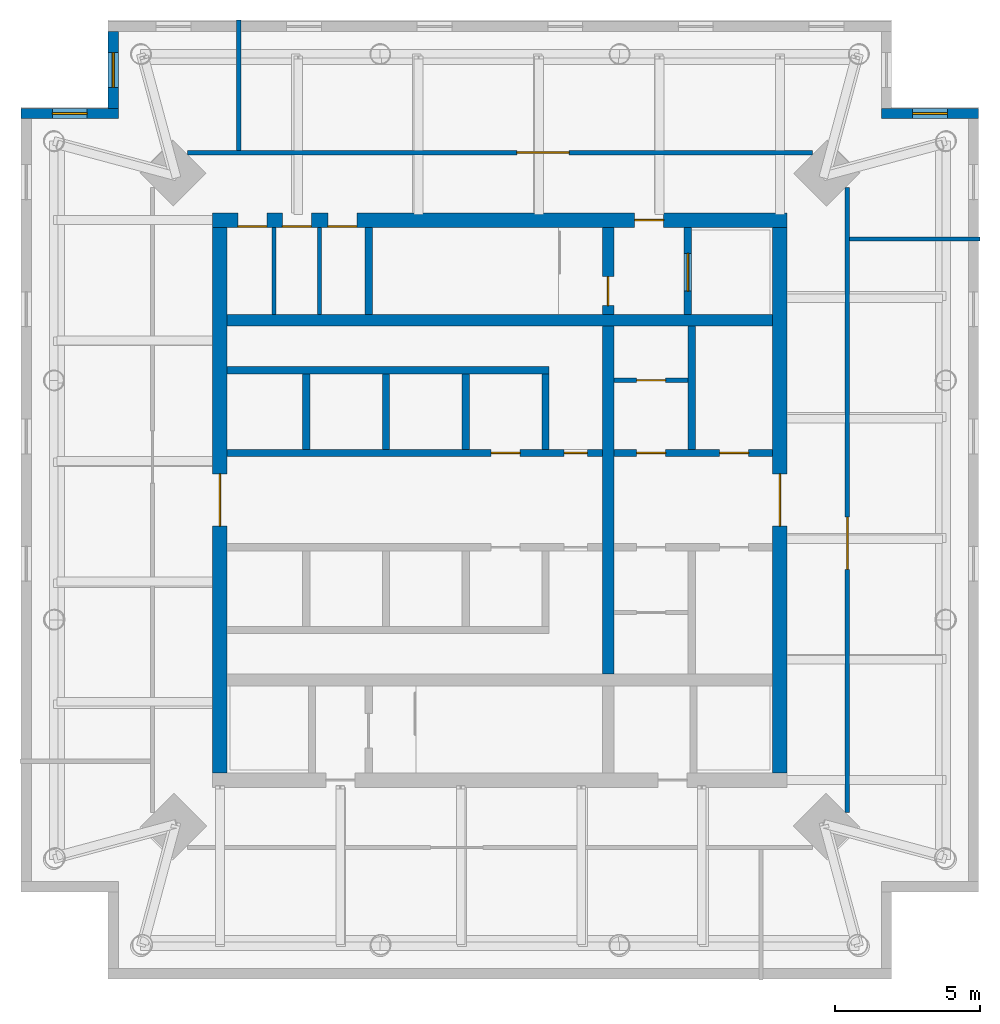
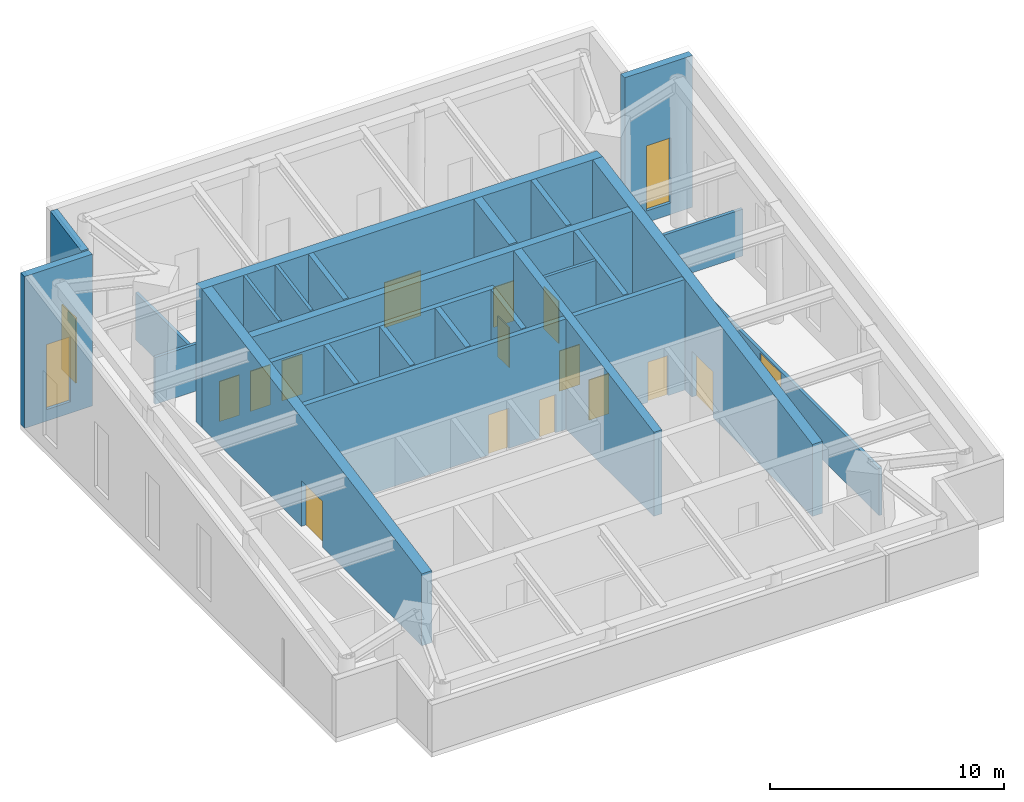
# One storey, part 3 of 5: 26 walls, 15 doors, 3 windows, 18 openings.
"""IFC4 building model written with IfcOpenShell, lengths in metres."""

import ifcopenshell
import ifcopenshell.guid

model = None  # the IFC model being written
_history = None  # IfcOwnerHistory: only IFC2X3 demands one
_inside = {}  # id of a spatial element -> (the spatial element, [elements in it])
_under = {}  # id of a project, library or spatial element -> (it, [spatial elements below it])
_declared = {}  # id of a project -> (the project, [libraries it declares])
_typed = {}  # id of a type object -> (the type object, [elements of that type])
_made_of = {}  # id of a material, layer set ... -> (it, [elements and type objects made of it])


def new_model(schema):
    """Start an empty IFC model of exactly this schema.

    Asked for "IFC4X3", IfcOpenShell would pick the latest addendum, in which some entities
    have other attributes; the version numbers below select the first issue.
    IFC2X3 requires an IfcOwnerHistory on every rooted entity: one is made here for all.
    """
    global model, _history
    if schema == "IFC4X3":
        model = ifcopenshell.file(schema_version=(4, 3, 0, 0))
    else:
        model = ifcopenshell.file(schema=schema)
    _inside.clear()
    _under.clear()
    _declared.clear()
    _typed.clear()
    _made_of.clear()
    _history = None
    if model.schema == "IFC2X3":
        org = make("IfcOrganization", Name="unknown")
        user = make(
            "IfcPersonAndOrganization",
            ThePerson=make("IfcPerson", FamilyName="unknown"),
            TheOrganization=org,
        )
        app = make(
            "IfcApplication",
            ApplicationDeveloper=org,
            Version="unknown",
            ApplicationFullName="unknown",
            ApplicationIdentifier="unknown",
        )
        _history = make(
            "IfcOwnerHistory",
            OwningUser=user,
            OwningApplication=app,
            ChangeAction="ADDED",
            CreationDate=0,
        )
    return model


def make(cls, **values):
    """One entity of the class cls with the attributes given. An attribute that is None is left unset."""
    return model.create_entity(
        cls, **{name: value for name, value in values.items() if value is not None}
    )


def rooted(cls, **values):
    """An entity with a GlobalId (a new one), such as an element, a storey or a relation."""
    return make(cls, GlobalId=ifcopenshell.guid.new(), OwnerHistory=_history, **values)


def si_unit(unit_type, name, prefix=None):
    """IfcSIUnit, for example si_unit("LENGTHUNIT", "METRE", prefix="MILLI")."""
    return make("IfcSIUnit", UnitType=unit_type, Prefix=prefix, Name=name)


def assignment(units):
    """IfcUnitAssignment: the units of a project."""
    return None if units is None else make("IfcUnitAssignment", Units=units)


def point(xyz):
    """IfcCartesianPoint."""
    return None if xyz is None else make("IfcCartesianPoint", Coordinates=xyz)


def direction(xyz):
    """IfcDirection."""
    return None if xyz is None else make("IfcDirection", DirectionRatios=xyz)


def frame(location, z_axis=None, x_axis=None):
    """IfcAxis2Placement3D, a coordinate frame: its origin and axes. An axis left out is left unset."""
    return make(
        "IfcAxis2Placement3D",
        Location=point(location),
        Axis=direction(z_axis),
        RefDirection=direction(x_axis),
    )


def frame_2d(location, x_axis=None):
    """IfcAxis2Placement2D, a coordinate frame in the plane: its origin and x axis."""
    return make(
        "IfcAxis2Placement2D", Location=point(location), RefDirection=direction(x_axis)
    )


def origin():
    """The frame at (0, 0, 0) with its axes left unset."""
    return frame((0.0, 0.0, 0.0))


def place(relative_to, where):
    """IfcLocalPlacement: puts the frame where relative to a parent placement (None: the world)."""
    return make(
        "IfcLocalPlacement", PlacementRelTo=relative_to, RelativePlacement=where
    )


def context(
    kind, dimensions, precision=None, world=None, true_north=None, identifier=None
):
    """IfcGeometricRepresentationContext, for example the 3D "Model" context."""
    return make(
        "IfcGeometricRepresentationContext",
        ContextIdentifier=identifier,
        ContextType=kind,
        CoordinateSpaceDimension=dimensions,
        Precision=precision,
        WorldCoordinateSystem=world,
        TrueNorth=true_north,
    )


def subcontext(parent, identifier, kind, view, scale=None):
    """IfcGeometricRepresentationSubContext, for example "Body" below "Model"."""
    return make(
        "IfcGeometricRepresentationSubContext",
        ContextIdentifier=identifier,
        ContextType=kind,
        ParentContext=parent,
        TargetScale=scale,
        TargetView=view,
    )


def project(units=None, contexts=None):
    """IfcProject with its units and contexts."""
    return rooted(
        "IfcProject",
        Name="project",
        RepresentationContexts=contexts,
        UnitsInContext=assignment(units),
    )


def spatial(cls, under=None, at=None, **own):
    """A site, building, storey or space (cls), placed at a placement, below another one or the project."""
    s = rooted(cls, ObjectPlacement=at, **own)
    if under is not None:
        _under.setdefault(under.id(), (under, []))[1].append(s)
    return s


def polyline(points):
    """IfcPolyline through the points."""
    return make("IfcPolyline", Points=[point(p) for p in points])


def profile(cls, at=None, kind="AREA", **sizes):
    """A parametric profile (cls). Its sizes go by their IFC names, for example OverallWidth=200.0."""
    return make(cls, ProfileType=kind, Position=at, **sizes)


def rectangle(**sizes):
    """IfcRectangleProfileDef."""
    return profile("IfcRectangleProfileDef", **sizes)


def outline(outer, holes=None, kind="AREA"):
    """IfcArbitraryClosedProfileDef: a profile drawn as a closed curve; with holes, ...WithVoids."""
    if holes is None:
        return make("IfcArbitraryClosedProfileDef", ProfileType=kind, OuterCurve=outer)
    return make(
        "IfcArbitraryProfileDefWithVoids",
        ProfileType=kind,
        OuterCurve=outer,
        InnerCurves=holes,
    )


def extrude(swept, where, along, depth):
    """IfcExtrudedAreaSolid: the profile swept, set in the frame where, extruded along a direction by depth."""
    return make(
        "IfcExtrudedAreaSolid",
        SweptArea=swept,
        Position=where,
        ExtrudedDirection=direction(along),
        Depth=depth,
    )


def shape(context_of_items, identifier, shape_type, items):
    """IfcShapeRepresentation: the items that make up one representation, for example the "Body"."""
    return make(
        "IfcShapeRepresentation",
        ContextOfItems=context_of_items,
        RepresentationIdentifier=identifier,
        RepresentationType=shape_type,
        Items=items,
    )


def material(Name=None, Category=None):
    """IfcMaterial."""
    return make("IfcMaterial", Name=Name, Category=Category)


def layer(
    of_material, thickness, ventilated=None, Name=None, Category=None, Priority=None
):
    """IfcMaterialLayer: one layer of a wall or slab, of a material (None: an air gap)."""
    return make(
        "IfcMaterialLayer",
        Material=of_material,
        LayerThickness=thickness,
        IsVentilated=ventilated,
        Name=Name,
        Category=Category,
        Priority=Priority,
    )


def layer_set(layers, Name=None):
    """IfcMaterialLayerSet."""
    return make("IfcMaterialLayerSet", MaterialLayers=layers, LayerSetName=Name)


def made_of(thing, what):
    """Note that an element or type object is made of a material, layer set ...; save() writes the relation."""
    if what is not None:
        _made_of.setdefault(what.id(), (what, []))[1].append(thing)
    return thing


def type_object(cls, material=None, **own):
    """A type object (cls), such as IfcWallType, which elements share."""
    return made_of(rooted(cls, **own), material)


def element(
    cls,
    number,
    at=None,
    inside=None,
    cuts=None,
    type_object=None,
    material=None,
    context=None,
    identifier="Body",
    shape_type=None,
    held_by="IfcProductDefinitionShape",
    body=None,
    shapes=None,
    **own,
):
    """One element of the class cls, such as IfcWall. Its Tag is "e" and its number.

    at: its placement. inside: the storey or other place that contains it. cuts: it is an
    opening in that element (IfcRelVoidsElement). A single representation is given by context,
    identifier, shape_type and body (its items); several are given by shapes. held_by: the class
    of the entity that holds the representations. save() writes the other relations.
    """
    e = rooted(cls, Tag="e%d" % number, ObjectPlacement=at, **own)
    if body is not None:
        shapes = [shape(context, identifier, shape_type, body)]
    if shapes is not None:
        e.Representation = make(held_by, Representations=shapes)
    if inside is not None:
        _inside.setdefault(inside.id(), (inside, []))[1].append(e)
    if cuts is not None:
        rooted(
            "IfcRelVoidsElement", RelatingBuildingElement=cuts, RelatedOpeningElement=e
        )
    if type_object is not None:
        _typed.setdefault(type_object.id(), (type_object, []))[1].append(e)
    return made_of(e, material)


def fill(opening, filler):
    """IfcRelFillsElement: the door or window that sits in an opening."""
    return rooted(
        "IfcRelFillsElement",
        RelatingOpeningElement=opening,
        RelatedBuildingElement=filler,
    )


def aggregate(whole, parts):
    """IfcRelAggregates: a whole, such as a stair, and the parts it consists of."""
    return rooted("IfcRelAggregates", RelatingObject=whole, RelatedObjects=parts)


def save(model, path):
    """Write the relations noted so far, then the file.

    IfcRelAggregates (storeys below a building ...), IfcRelContainedInSpatialStructure (elements
    in a storey), IfcRelDefinesByType, IfcRelAssociatesMaterial and IfcRelDeclares: one each for
    every whole, place, type object, material and project.
    """
    for whole, parts in _under.values():
        aggregate(whole, parts)
    for where, things in _inside.values():
        rooted(
            "IfcRelContainedInSpatialStructure",
            RelatedElements=things,
            RelatingStructure=where,
        )
    for kind, things in _typed.values():
        rooted("IfcRelDefinesByType", RelatedObjects=things, RelatingType=kind)
    for what, things in _made_of.values():
        rooted("IfcRelAssociatesMaterial", RelatedObjects=things, RelatingMaterial=what)
    for by, libraries in _declared.values():
        rooted("IfcRelDeclares", RelatingContext=by, RelatedDefinitions=libraries)
    model.write(path)


model = new_model("IFC4")

# Units and contexts
model_context = context("Model", 3, precision=1e-05, world=origin(), true_north=direction((0.0, 1.0)))
body_context = subcontext(model_context, "Body", "Model", "MODEL_VIEW")
ifc_project = project(units=[si_unit("LENGTHUNIT", "METRE"), si_unit("AREAUNIT", "SQUARE_METRE"), si_unit("VOLUMEUNIT", "CUBIC_METRE"), si_unit("PLANEANGLEUNIT", "RADIAN"), si_unit("MASSUNIT", "GRAM", prefix="KILO")], contexts=[model_context])

# Site, building, storey
site_placement = place(None, origin())
site = spatial("IfcSite", under=ifc_project, at=site_placement, CompositionType="ELEMENT")
building_placement = place(site_placement, origin())
building = spatial("IfcBuilding", under=site, at=building_placement, Name="Ostroluk Exchange", CompositionType="ELEMENT")
storey_placement = place(building_placement, frame((0.0, 0.0, 290.800048828125)))
storey = spatial("IfcBuildingStorey", under=building, at=storey_placement, Name="L75", CompositionType="ELEMENT", Elevation=290.800048828125)

# Walls
ifc_material_1 = material(Name="Concrete blockwork", Category="masonry")
ifc_layer_1 = layer(ifc_material_1, 0.14990234375)
ifc_layer_set_1 = layer_set([ifc_layer_1], Name="Blockwork plant room wall 150")
wall_type_1 = type_object("IfcWallType", Name="Blockwork plant room wall 150", PredefinedType="SOLIDWALL", material=ifc_layer_set_1)
for number, where, z_axis, x_axis, name in (
    (1, (37.215087890625, 52.39990234375, 0.0), (0.0, 0.0, 1.0), (0.0, 1.0, 0.0), "Core room wall"),
    (2, (38.782470703125, 52.39990234375, 0.0), (0.0, 0.0, 1.0), (0.0, 1.0, 0.0), "Core room wall"),
):
    element("IfcWall", number, at=place(storey_placement, frame(where, z_axis=z_axis, x_axis=x_axis)), inside=storey, type_object=wall_type_1, Name=name, PredefinedType="SOLIDWALL", context=body_context, shape_type="SweptSolid", body=[
        extrude(outline(polyline([(0.0, 0.0), (3.0, 0.0), (3.0, 7.237548828125), (0.0, 6.682861328125), (0.0, 0.0)])), frame((0.0, 0.074951171875, 0.0), z_axis=(0.0, -1.0, 0.0), x_axis=(1.0, 0.0, 0.0)), (0.0, 0.0, 1.0), 0.14990234375),
    ])

# Wall, opening, door
wall_1_placement = place(storey_placement, frame((48.929931640625, 50.1298828125, 0.0), z_axis=(0.0, 0.0, 1.0), x_axis=(1.0, 0.0, 0.0)))
wall_1 = element("IfcWall", 3, at=wall_1_placement, inside=storey, type_object=wall_type_1, Name="Core room wall", PredefinedType="SOLIDWALL", context=body_context, shape_type="SweptSolid", body=[
    extrude(rectangle(XDim=2.56005859375, YDim=0.14990234375, at=frame_2d((1.280029296875, 0.0))), origin(), (0.0, 0.0, 1.0), 6.24951171875),
])
opening_1_placement = place(wall_1_placement, frame((0.780029296875, 0.0, 0.0)))
opening_1 = element("IfcOpeningElement", 4, at=opening_1_placement, cuts=wall_1, Name="Opening FD60", PredefinedType="OPENING", context=body_context, shape_type="SweptSolid", body=[
    extrude(rectangle(XDim=1.0, YDim=2.10009765625, at=frame_2d((0.5, 1.050048828125))), frame((0.0, 0.0849609375, 0.0), z_axis=(0.0, -1.0, 0.0), x_axis=(1.0, 0.0, 0.0)), (0.0, 0.0, 1.0), 0.169921875),
])
ifc_material_2 = material(Name="Steel", Category="steel")
door_type_1 = type_object("IfcDoorType", Name="Fire door EI 60 1000 x 2100", OperationType="SINGLE_SWING_LEFT", PredefinedType="DOOR", material=ifc_material_2)
door_1_placement = place(opening_1_placement, origin())
door_1 = element("IfcDoor", 5, at=door_1_placement, inside=storey, type_object=door_type_1, Name="Store door", OperationType="SINGLE_SWING_LEFT", OverallHeight=2.10009765625, OverallWidth=1.0, PredefinedType="DOOR", context=body_context, shape_type="SweptSolid", body=[
    extrude(rectangle(XDim=1.0, YDim=2.10009765625, at=frame_2d((0.5, 1.050048828125))), frame((0.0, 0.02490234375, 0.0), z_axis=(0.0, -1.0, 0.0), x_axis=(1.0, 0.0, 0.0)), (0.0, 0.0, 1.0), 0.050048828125),
])
fill(opening_1, door_1)

wall_2_placement = place(storey_placement, frame((56.97509765625, 35.2314453125, 0.0), z_axis=(0.0, 0.0, 1.0), x_axis=(0.0, 1.0, 0.0)))
wall_2 = element("IfcWall", 6, at=wall_2_placement, inside=storey, type_object=wall_type_1, Name="Plant room wall", PredefinedType="SOLIDWALL", context=body_context, shape_type="SweptSolid", body=[
    extrude(rectangle(XDim=21.537109375, YDim=0.14990234375, at=frame_2d((10.7685546875, 0.0))), origin(), (0.0, 0.0, 1.0), 2.449951171875),
])
opening_2_placement = place(wall_2_placement, frame((8.381103515625, 0.0, 0.0)))
opening_2 = element("IfcOpeningElement", 7, at=opening_2_placement, cuts=wall_2, Name="Opening D-05A", PredefinedType="OPENING", context=body_context, shape_type="SweptSolid", body=[
    extrude(rectangle(XDim=1.800048828125, YDim=2.35009765625, at=frame_2d((0.89990234375, 1.175048828125))), frame((0.0, 0.0849609375, 0.0), z_axis=(0.0, -1.0, 0.0), x_axis=(1.0, 0.0, 0.0)), (0.0, 0.0, 1.0), 0.169921875),
])
ifc_material_3 = material(Name="Steel", Category="steel")
door_type_2 = type_object("IfcDoorType", Name="Plant room double door EI 60 1800 x 2350", OperationType="DOUBLE_DOOR_SINGLE_SWING", PredefinedType="DOOR", material=ifc_material_3)
door_2_placement = place(opening_2_placement, origin())
door_2 = element("IfcDoor", 8, at=door_2_placement, inside=storey, type_object=door_type_2, Name="Crown plant room door", OperationType="DOUBLE_DOOR_SINGLE_SWING", OverallHeight=2.35009765625, OverallWidth=1.800048828125, PredefinedType="DOOR", context=body_context, shape_type="SweptSolid", body=[
    extrude(rectangle(XDim=1.800048828125, YDim=2.35009765625, at=frame_2d((0.89990234375, 1.175048828125))), frame((0.0, 0.02490234375, 0.0), z_axis=(0.0, -1.0, 0.0), x_axis=(1.0, 0.0, 0.0)), (0.0, 0.0, 1.0), 0.050048828125),
])
fill(opening_2, door_2)

# Wall
wall_3_placement = place(storey_placement, frame((57.050048828125, 55.0, 0.0), z_axis=(0.0, 0.0, 1.0), x_axis=(1.0, 0.0, 0.0)))
element("IfcWall", 9, at=wall_3_placement, inside=storey, type_object=wall_type_1, Name="Plant room wall", PredefinedType="SOLIDWALL", context=body_context, shape_type="SweptSolid", body=[
    extrude(rectangle(XDim=4.489990234375, YDim=0.14990234375, at=frame_2d((2.2451171875, 0.0))), origin(), (0.0, 0.0, 1.0), 2.449951171875),
])

# Wall, opening, door
wall_4_placement = place(storey_placement, frame((55.7685546875, 57.97509765625, 0.0), z_axis=(0.0, 0.0, 1.0), x_axis=(-1.0, 0.0, 0.0)))
wall_4 = element("IfcWall", 10, at=wall_4_placement, inside=storey, type_object=wall_type_1, Name="Plant room wall", PredefinedType="SOLIDWALL", context=body_context, shape_type="SweptSolid", body=[
    extrude(rectangle(XDim=21.537109375, YDim=0.14990234375, at=frame_2d((10.7685546875, 0.0))), origin(), (0.0, 0.0, 1.0), 2.449951171875),
])
opening_3_placement = place(wall_4_placement, frame((8.381103515625, 0.0, 0.0)))
opening_3 = element("IfcOpeningElement", 11, at=opening_3_placement, cuts=wall_4, Name="Opening D-05A", PredefinedType="OPENING", context=body_context, shape_type="SweptSolid", body=[
    extrude(rectangle(XDim=1.800048828125, YDim=2.35009765625, at=frame_2d((0.89990234375, 1.175048828125))), frame((0.0, 0.0849609375, 0.0), z_axis=(0.0, -1.0, 0.0), x_axis=(1.0, 0.0, 0.0)), (0.0, 0.0, 1.0), 0.169921875),
])
door_3_placement = place(opening_3_placement, origin())
door_3 = element("IfcDoor", 12, at=door_3_placement, inside=storey, type_object=door_type_2, Name="Crown plant room door", OperationType="DOUBLE_DOOR_SINGLE_SWING", OverallHeight=2.35009765625, OverallWidth=1.800048828125, PredefinedType="DOOR", context=body_context, shape_type="SweptSolid", body=[
    extrude(rectangle(XDim=1.800048828125, YDim=2.35009765625, at=frame_2d((0.89990234375, 1.175048828125))), frame((0.0, 0.02490234375, 0.0), z_axis=(0.0, -1.0, 0.0), x_axis=(1.0, 0.0, 0.0)), (0.0, 0.0, 1.0), 0.050048828125),
])
fill(opening_3, door_3)

# Walls
wall_5_placement = place(storey_placement, frame((36.0, 58.050048828125, 0.0), z_axis=(0.0, 0.0, 1.0), x_axis=(0.0, 1.0, 0.0)))
element("IfcWall", 13, at=wall_5_placement, inside=storey, type_object=wall_type_1, Name="Plant room wall", PredefinedType="SOLIDWALL", context=body_context, shape_type="SweptSolid", body=[
    extrude(rectangle(XDim=4.489990234375, YDim=0.14990234375, at=frame_2d((2.2451171875, 0.0))), origin(), (0.0, 0.0, 1.0), 2.449951171875),
])
ifc_material_4 = material(Name="Concrete C50/60", Category="concrete")
ifc_layer_2 = layer(ifc_material_4, 0.39990234375)
ifc_layer_set_2 = layer_set([ifc_layer_2], Name="Core cross wall 400 C50/60")
wall_type_2 = type_object("IfcWallType", Name="Core cross wall 400 C50/60", PredefinedType="SHEAR", material=ifc_layer_set_2)
wall_6_placement = place(storey_placement, frame((35.60009765625, 52.199951171875, 0.0), z_axis=(0.0, 0.0, 1.0), x_axis=(1.0, 0.0, 0.0)))
element("IfcWall", 14, at=wall_6_placement, inside=storey, type_object=wall_type_2, Name="T1 core wall XN", PredefinedType="SHEAR", context=body_context, shape_type="SweptSolid", body=[
    extrude(rectangle(XDim=18.7998046875, YDim=0.39990234375, at=frame_2d((9.39990234375, 0.0))), origin(), (0.0, 0.0, 1.0), 6.609130859375),
])
wall_7_placement = place(storey_placement, frame((48.72998046875, 40.0, 0.0), z_axis=(0.0, 0.0, 1.0), x_axis=(0.0, 1.0, 0.0)))
element("IfcWall", 15, at=wall_7_placement, inside=storey, type_object=wall_type_2, Name="T1 core wall YE2", PredefinedType="SHEAR", context=body_context, shape_type="SweptSolid", body=[
    extrude(outline(polyline([(0.0, 0.0), (12.0, 0.0), (12.0, 6.609130859375), (0.0, 4.390869140625), (0.0, 0.0)])), frame((0.0, 0.199951171875, 0.0), z_axis=(0.0, -1.0, 0.0), x_axis=(1.0, 0.0, 0.0)), (0.0, 0.0, 1.0), 0.39990234375),
])

# Wall, opening, door
wall_8_placement = place(storey_placement, frame((48.72998046875, 52.39990234375, 0.0), z_axis=(0.0, 0.0, 1.0), x_axis=(0.0, 1.0, 0.0)))
wall_8 = element("IfcWall", 16, at=wall_8_placement, inside=storey, type_object=wall_type_2, Name="T1 core wall YE3", PredefinedType="SHEAR", context=body_context, shape_type="SweptSolid", body=[
    extrude(outline(polyline([(0.0, 0.0), (3.0, 0.0), (3.0, 7.237548828125), (0.0, 6.682861328125), (0.0, 0.0)])), frame((0.0, 0.199951171875, 0.0), z_axis=(0.0, -1.0, 0.0), x_axis=(1.0, 0.0, 0.0)), (0.0, 0.0, 1.0), 0.39990234375),
])
opening_4_placement = place(wall_8_placement, frame((0.300048828125, 0.0, 0.0)))
opening_4 = element("IfcOpeningElement", 17, at=opening_4_placement, cuts=wall_8, Name="Opening FD60", PredefinedType="OPENING", context=body_context, shape_type="SweptSolid", body=[
    extrude(rectangle(XDim=1.0, YDim=2.10009765625, at=frame_2d((0.5, 1.050048828125))), frame((0.0, 0.2099609375, 0.0), z_axis=(0.0, -1.0, 0.0), x_axis=(1.0, 0.0, 0.0)), (0.0, 0.0, 1.0), 0.419921875),
])
door_4_placement = place(opening_4_placement, origin())
door_4 = element("IfcDoor", 18, at=door_4_placement, inside=storey, type_object=door_type_1, Name="Stair T1-S2 door", OperationType="SINGLE_SWING_LEFT", OverallHeight=2.10009765625, OverallWidth=1.0, PredefinedType="DOOR", context=body_context, shape_type="SweptSolid", body=[
    extrude(rectangle(XDim=1.0, YDim=2.10009765625, at=frame_2d((0.5, 1.050048828125))), frame((0.0, 0.02490234375, 0.0), z_axis=(0.0, -1.0, 0.0), x_axis=(1.0, 0.0, 0.0)), (0.0, 0.0, 1.0), 0.050048828125),
])
fill(opening_4, door_4)

# Wall
ifc_material_5 = material(Name="Concrete C40/50", Category="concrete")
ifc_layer_3 = layer(ifc_material_5, 0.25)
ifc_layer_set_3 = layer_set([ifc_layer_3], Name="Core shaft wall 250")
wall_type_3 = type_object("IfcWallType", Name="Core shaft wall 250", PredefinedType="SHEAR", material=ifc_layer_set_3)
wall_9_placement = place(storey_placement, frame((40.47509765625, 52.39990234375, 0.0), z_axis=(0.0, 0.0, 1.0), x_axis=(0.0, 1.0, 0.0)))
element("IfcWall", 19, at=wall_9_placement, inside=storey, type_object=wall_type_3, Name="Stair shaft wall", PredefinedType="SHEAR", context=body_context, shape_type="SweptSolid", body=[
    extrude(outline(polyline([(0.0, 0.0), (3.0, 0.0), (3.0, 7.237548828125), (0.0, 6.682861328125), (0.0, 0.0)])), frame((0.0, 0.125, 0.0), z_axis=(0.0, -1.0, 0.0), x_axis=(1.0, 0.0, 0.0)), (0.0, 0.0, 1.0), 0.25),
])

# Wall, opening, door
wall_10_placement = place(storey_placement, frame((51.47509765625, 52.39990234375, 0.0), z_axis=(0.0, 0.0, 1.0), x_axis=(0.0, 1.0, 0.0)))
wall_10 = element("IfcWall", 20, at=wall_10_placement, inside=storey, type_object=wall_type_3, Name="Firefighting lift shaft wall", PredefinedType="SHEAR", context=body_context, shape_type="SweptSolid", body=[
    extrude(outline(polyline([(0.0, 0.0), (3.0, 0.0), (3.0, 7.237548828125), (0.0, 6.682861328125), (0.0, 0.0)])), frame((0.0, 0.125, 0.0), z_axis=(0.0, -1.0, 0.0), x_axis=(1.0, 0.0, 0.0)), (0.0, 0.0, 1.0), 0.25),
])
opening_5_placement = place(wall_10_placement, frame((0.800048828125, 0.0, 0.0)))
opening_5 = element("IfcOpeningElement", 21, at=opening_5_placement, cuts=wall_10, Name="Opening LD2", PredefinedType="OPENING", context=body_context, shape_type="SweptSolid", body=[
    extrude(rectangle(XDim=1.300048828125, YDim=2.199951171875, at=frame_2d((0.64990234375, 1.10009765625))), frame((0.0, 0.135009765625, 0.0), z_axis=(0.0, -1.0, 0.0), x_axis=(1.0, 0.0, 0.0)), (0.0, 0.0, 1.0), 0.27001953125),
])
ifc_material_6 = material(Name="Stainless steel", Category="steel")
door_type_3 = type_object("IfcDoorType", Name="Lift landing door E 60 1300 x 2200", OperationType="DOUBLE_DOOR_SLIDING", PredefinedType="DOOR", material=ifc_material_6)
door_5_placement = place(opening_5_placement, origin())
door_5 = element("IfcDoor", 22, at=door_5_placement, inside=storey, type_object=door_type_3, Name="Lift FL2 landing door", OperationType="DOUBLE_DOOR_SLIDING", OverallHeight=2.199951171875, OverallWidth=1.300048828125, PredefinedType="DOOR", context=body_context, shape_type="SweptSolid", body=[
    extrude(rectangle(XDim=1.300048828125, YDim=2.199951171875, at=frame_2d((0.64990234375, 1.10009765625))), frame((0.0, 0.02490234375, 0.0), z_axis=(0.0, -1.0, 0.0), x_axis=(1.0, 0.0, 0.0)), (0.0, 0.0, 1.0), 0.050048828125),
])
fill(opening_5, door_5)

# Walls
for number, where, z_axis, x_axis, name in (
    (23, (38.324951171875, 47.75, 0.0), (0.0, 0.0, 1.0), (0.0, 1.0, 0.0), "Lift shaft wall"),
    (24, (41.074951171875, 47.75, 0.0), (0.0, 0.0, 1.0), (0.0, 1.0, 0.0), "Lift shaft wall"),
    (25, (43.824951171875, 47.75, 0.0), (0.0, 0.0, 1.0), (0.0, 1.0, 0.0), "Lift shaft wall"),
    (26, (46.574951171875, 47.75, 0.0), (0.0, 0.0, 1.0), (0.0, 1.0, 0.0), "Lift shaft wall"),
):
    element("IfcWall", number, at=place(storey_placement, frame(where, z_axis=z_axis, x_axis=x_axis)), inside=storey, type_object=wall_type_3, Name=name, PredefinedType="SHEAR", context=body_context, shape_type="SweptSolid", body=[
        extrude(outline(polyline([(0.0, 0.0), (2.60009765625, 0.0), (2.60009765625, 6.303955078125), (0.0, 5.823486328125), (0.0, 0.0)])), frame((0.0, 0.125, 0.0), z_axis=(0.0, -1.0, 0.0), x_axis=(1.0, 0.0, 0.0)), (0.0, 0.0, 1.0), 0.25),
    ])
wall_11_placement = place(storey_placement, frame((35.60009765625, 50.47509765625, 0.0), z_axis=(0.0, 0.0, 1.0), x_axis=(1.0, 0.0, 0.0)))
element("IfcWall", 27, at=wall_11_placement, inside=storey, type_object=wall_type_3, Name="Lift shaft wall", PredefinedType="SHEAR", context=body_context, shape_type="SweptSolid", body=[
    extrude(rectangle(XDim=11.099853515625, YDim=0.25, at=frame_2d((5.5498046875, 0.0))), origin(), (0.0, 0.0, 1.0), 6.303955078125),
])

# Wall, openings, doors
wall_12_placement = place(storey_placement, frame((35.60009765625, 47.625, 0.0), z_axis=(0.0, 0.0, 1.0), x_axis=(1.0, 0.0, 0.0)))
wall_12 = element("IfcWall", 28, at=wall_12_placement, inside=storey, type_object=wall_type_3, Name="Lift shaft front wall", PredefinedType="SHEAR", context=body_context, shape_type="SweptSolid", body=[
    extrude(rectangle(XDim=12.929931640625, YDim=0.25, at=frame_2d((6.46484375, 0.0))), origin(), (0.0, 0.0, 1.0), 5.77734375),
])
opening_6_placement = place(wall_12_placement, frame((9.10009765625, 0.0, 0.0)))
opening_6 = element("IfcOpeningElement", 29, at=opening_6_placement, cuts=wall_12, Name="Opening FD60", PredefinedType="OPENING", context=body_context, shape_type="SweptSolid", body=[
    extrude(rectangle(XDim=1.0, YDim=2.10009765625, at=frame_2d((0.5, 1.050048828125))), frame((0.0, 0.135009765625, 0.0), z_axis=(0.0, -1.0, 0.0), x_axis=(1.0, 0.0, 0.0)), (0.0, 0.0, 1.0), 0.27001953125),
])
opening_7_placement = place(wall_12_placement, frame((11.614990234375, 0.0, 0.0)))
opening_7 = element("IfcOpeningElement", 30, at=opening_7_placement, cuts=wall_12, Name="Opening RD60", PredefinedType="OPENING", context=body_context, shape_type="SweptSolid", body=[
    extrude(rectangle(XDim=0.800048828125, YDim=2.0, at=frame_2d((0.39990234375, 1.0))), frame((0.0, 0.135009765625, 0.0), z_axis=(0.0, -1.0, 0.0), x_axis=(1.0, 0.0, 0.0)), (0.0, 0.0, 1.0), 0.27001953125),
])
door_6_placement = place(opening_6_placement, origin())
door_6 = element("IfcDoor", 31, at=door_6_placement, inside=storey, type_object=door_type_1, Name="Core room door", OperationType="SINGLE_SWING_RIGHT", OverallHeight=2.10009765625, OverallWidth=1.0, PredefinedType="DOOR", context=body_context, shape_type="SweptSolid", body=[
    extrude(rectangle(XDim=1.0, YDim=2.10009765625, at=frame_2d((0.5, 1.050048828125))), frame((0.0, 0.02490234375, 0.0), z_axis=(0.0, -1.0, 0.0), x_axis=(1.0, 0.0, 0.0)), (0.0, 0.0, 1.0), 0.050048828125),
])
fill(opening_6, door_6)
ifc_material_7 = material(Name="Steel", Category="steel")
door_type_4 = type_object("IfcDoorType", Name="Riser access door EI 60 800 x 2000", OperationType="SINGLE_SWING_LEFT", PredefinedType="DOOR", material=ifc_material_7)
door_7_placement = place(opening_7_placement, origin())
door_7 = element("IfcDoor", 32, at=door_7_placement, inside=storey, type_object=door_type_4, Name="Riser access door", OperationType="SINGLE_SWING_RIGHT", OverallHeight=2.0, OverallWidth=0.800048828125, PredefinedType="DOOR", context=body_context, shape_type="SweptSolid", body=[
    extrude(rectangle(XDim=0.800048828125, YDim=2.0, at=frame_2d((0.39990234375, 1.0))), frame((0.0, 0.02490234375, 0.0), z_axis=(0.0, -1.0, 0.0), x_axis=(1.0, 0.0, 0.0)), (0.0, 0.0, 1.0), 0.050048828125),
])
fill(opening_7, door_7)

# Wall
wall_13_placement = place(storey_placement, frame((51.614990234375, 47.75, 0.0), z_axis=(0.0, 0.0, 1.0), x_axis=(0.0, 1.0, 0.0)))
element("IfcWall", 33, at=wall_13_placement, inside=storey, type_object=wall_type_3, Name="Lift shaft wall", PredefinedType="SHEAR", context=body_context, shape_type="SweptSolid", body=[
    extrude(outline(polyline([(0.0, 0.0), (4.25, 0.0), (4.25, 6.609130859375), (0.0, 5.823486328125), (0.0, 0.0)])), frame((0.0, 0.125, 0.0), z_axis=(0.0, -1.0, 0.0), x_axis=(1.0, 0.0, 0.0)), (0.0, 0.0, 1.0), 0.25),
])

# Wall, openings, doors
wall_14_placement = place(storey_placement, frame((48.929931640625, 47.625, 0.0), z_axis=(0.0, 0.0, 1.0), x_axis=(1.0, 0.0, 0.0)))
wall_14 = element("IfcWall", 34, at=wall_14_placement, inside=storey, type_object=wall_type_3, Name="Lift shaft front wall", PredefinedType="SHEAR", context=body_context, shape_type="SweptSolid", body=[
    extrude(rectangle(XDim=5.469970703125, YDim=0.25, at=frame_2d((2.73486328125, 0.0))), origin(), (0.0, 0.0, 1.0), 5.77734375),
])
opening_8_placement = place(wall_14_placement, frame((0.780029296875, 0.0, 0.0)))
opening_8 = element("IfcOpeningElement", 35, at=opening_8_placement, cuts=wall_14, Name="Opening FD60", PredefinedType="OPENING", context=body_context, shape_type="SweptSolid", body=[
    extrude(rectangle(XDim=1.0, YDim=2.10009765625, at=frame_2d((0.5, 1.050048828125))), frame((0.0, 0.135009765625, 0.0), z_axis=(0.0, -1.0, 0.0), x_axis=(1.0, 0.0, 0.0)), (0.0, 0.0, 1.0), 0.27001953125),
])
opening_9_placement = place(wall_14_placement, frame((3.639892578125, 0.0, 0.0)))
opening_9 = element("IfcOpeningElement", 36, at=opening_9_placement, cuts=wall_14, Name="Opening FD60", PredefinedType="OPENING", context=body_context, shape_type="SweptSolid", body=[
    extrude(rectangle(XDim=1.0, YDim=2.10009765625, at=frame_2d((0.5, 1.050048828125))), frame((0.0, 0.135009765625, 0.0), z_axis=(0.0, -1.0, 0.0), x_axis=(1.0, 0.0, 0.0)), (0.0, 0.0, 1.0), 0.27001953125),
])
door_8_placement = place(opening_8_placement, origin())
door_8 = element("IfcDoor", 37, at=door_8_placement, inside=storey, type_object=door_type_1, Name="Core room door", OperationType="SINGLE_SWING_LEFT", OverallHeight=2.10009765625, OverallWidth=1.0, PredefinedType="DOOR", context=body_context, shape_type="SweptSolid", body=[
    extrude(rectangle(XDim=1.0, YDim=2.10009765625, at=frame_2d((0.5, 1.050048828125))), frame((0.0, 0.02490234375, 0.0), z_axis=(0.0, -1.0, 0.0), x_axis=(1.0, 0.0, 0.0)), (0.0, 0.0, 1.0), 0.050048828125),
])
fill(opening_8, door_8)
door_9_placement = place(opening_9_placement, origin())
door_9 = element("IfcDoor", 38, at=door_9_placement, inside=storey, type_object=door_type_1, Name="Core room door", OperationType="SINGLE_SWING_RIGHT", OverallHeight=2.10009765625, OverallWidth=1.0, PredefinedType="DOOR", context=body_context, shape_type="SweptSolid", body=[
    extrude(rectangle(XDim=1.0, YDim=2.10009765625, at=frame_2d((0.5, 1.050048828125))), frame((0.0, 0.02490234375, 0.0), z_axis=(0.0, -1.0, 0.0), x_axis=(1.0, 0.0, 0.0)), (0.0, 0.0, 1.0), 0.050048828125),
])
fill(opening_9, door_9)

ifc_material_8 = material(Name="Concrete C50/60", Category="concrete")
ifc_layer_4 = layer(ifc_material_8, 0.5)
ifc_layer_set_4 = layer_set([ifc_layer_4], Name="Core wall 500 C50/60")
wall_type_4 = type_object("IfcWallType", Name="Core wall 500 C50/60", PredefinedType="SHEAR", material=ifc_layer_set_4)
wall_15_placement = place(storey_placement, frame((35.10009765625, 55.64990234375, 0.0), z_axis=(0.0, 0.0, 1.0), x_axis=(1.0, 0.0, 0.0)))
wall_15 = element("IfcWall", 39, at=wall_15_placement, inside=storey, type_object=wall_type_4, Name="T1 core wall N", PredefinedType="SHEAR", context=body_context, shape_type="SweptSolid", body=[
    extrude(rectangle(XDim=19.7998046875, YDim=0.5, at=frame_2d((9.89990234375, 0.0))), origin(), (0.0, 0.0, 1.0), 7.237548828125),
])
opening_10_placement = place(wall_15_placement, frame((14.5400390625, 0.0, 0.0)))
opening_10 = element("IfcOpeningElement", 40, at=opening_10_placement, cuts=wall_15, Name="Opening FD60", PredefinedType="OPENING", context=body_context, shape_type="SweptSolid", body=[
    extrude(rectangle(XDim=1.0, YDim=2.10009765625, at=frame_2d((0.5, 1.050048828125))), frame((0.0, 0.260009765625, 0.0), z_axis=(0.0, -1.0, 0.0), x_axis=(1.0, 0.0, 0.0)), (0.0, 0.0, 1.0), 0.52001953125),
])
opening_11_placement = place(wall_15_placement, frame((0.864990234375, 0.0, 0.0)))
opening_11 = element("IfcOpeningElement", 41, at=opening_11_placement, cuts=wall_15, Name="Opening FD60", PredefinedType="OPENING", context=body_context, shape_type="SweptSolid", body=[
    extrude(rectangle(XDim=1.0, YDim=2.10009765625, at=frame_2d((0.5, 1.050048828125))), frame((0.0, 0.260009765625, 0.0), z_axis=(0.0, -1.0, 0.0), x_axis=(1.0, 0.0, 0.0)), (0.0, 0.0, 1.0), 0.52001953125),
])
opening_12_placement = place(wall_15_placement, frame((2.398681640625, 0.0, 0.0)))
opening_12 = element("IfcOpeningElement", 42, at=opening_12_placement, cuts=wall_15, Name="Opening FD60", PredefinedType="OPENING", context=body_context, shape_type="SweptSolid", body=[
    extrude(rectangle(XDim=1.0, YDim=2.10009765625, at=frame_2d((0.5, 1.050048828125))), frame((0.0, 0.260009765625, 0.0), z_axis=(0.0, -1.0, 0.0), x_axis=(1.0, 0.0, 0.0)), (0.0, 0.0, 1.0), 0.52001953125),
])
opening_13_placement = place(wall_15_placement, frame((3.96630859375, 0.0, 0.0)))
opening_13 = element("IfcOpeningElement", 43, at=opening_13_placement, cuts=wall_15, Name="Opening FD60", PredefinedType="OPENING", context=body_context, shape_type="SweptSolid", body=[
    extrude(rectangle(XDim=1.0, YDim=2.10009765625, at=frame_2d((0.5, 1.050048828125))), frame((0.0, 0.260009765625, 0.0), z_axis=(0.0, -1.0, 0.0), x_axis=(1.0, 0.0, 0.0)), (0.0, 0.0, 1.0), 0.52001953125),
])
door_10_placement = place(opening_10_placement, origin())
door_10 = element("IfcDoor", 44, at=door_10_placement, inside=storey, type_object=door_type_1, Name="Firefighting lobby door", OperationType="SINGLE_SWING_RIGHT", OverallHeight=2.10009765625, OverallWidth=1.0, PredefinedType="DOOR", context=body_context, shape_type="SweptSolid", body=[
    extrude(rectangle(XDim=1.0, YDim=2.10009765625, at=frame_2d((0.5, 1.050048828125))), frame((0.0, 0.02490234375, 0.0), z_axis=(0.0, -1.0, 0.0), x_axis=(1.0, 0.0, 0.0)), (0.0, 0.0, 1.0), 0.050048828125),
])
fill(opening_10, door_10)
door_11_placement = place(opening_11_placement, origin())
door_11 = element("IfcDoor", 45, at=door_11_placement, inside=storey, type_object=door_type_1, Name="Cleaner's store door", OperationType="SINGLE_SWING_LEFT", OverallHeight=2.10009765625, OverallWidth=1.0, PredefinedType="DOOR", context=body_context, shape_type="SweptSolid", body=[
    extrude(rectangle(XDim=1.0, YDim=2.10009765625, at=frame_2d((0.5, 1.050048828125))), frame((0.0, -0.18994140625, 0.0), z_axis=(0.0, -1.0, 0.0), x_axis=(1.0, 0.0, 0.0)), (0.0, 0.0, 1.0), 0.050048828125),
])
fill(opening_11, door_11)
door_12_placement = place(opening_12_placement, origin())
door_12 = element("IfcDoor", 46, at=door_12_placement, inside=storey, type_object=door_type_1, Name="Comms switch room door", OperationType="SINGLE_SWING_LEFT", OverallHeight=2.10009765625, OverallWidth=1.0, PredefinedType="DOOR", context=body_context, shape_type="SweptSolid", body=[
    extrude(rectangle(XDim=1.0, YDim=2.10009765625, at=frame_2d((0.5, 1.050048828125))), frame((0.0, -0.18994140625, 0.0), z_axis=(0.0, -1.0, 0.0), x_axis=(1.0, 0.0, 0.0)), (0.0, 0.0, 1.0), 0.050048828125),
])
fill(opening_12, door_12)
door_13_placement = place(opening_13_placement, origin())
door_13 = element("IfcDoor", 47, at=door_13_placement, inside=storey, type_object=door_type_1, Name="Electrical switch room door", OperationType="SINGLE_SWING_LEFT", OverallHeight=2.10009765625, OverallWidth=1.0, PredefinedType="DOOR", context=body_context, shape_type="SweptSolid", body=[
    extrude(rectangle(XDim=1.0, YDim=2.10009765625, at=frame_2d((0.5, 1.050048828125))), frame((0.0, -0.18994140625, 0.0), z_axis=(0.0, -1.0, 0.0), x_axis=(1.0, 0.0, 0.0)), (0.0, 0.0, 1.0), 0.050048828125),
])
fill(opening_13, door_13)

# Wall, opening, door
wall_16_placement = place(storey_placement, frame((35.35009765625, 36.60009765625, 0.0), z_axis=(0.0, 0.0, 1.0), x_axis=(0.0, 1.0, 0.0)))
wall_16 = element("IfcWall", 48, at=wall_16_placement, inside=storey, type_object=wall_type_4, Name="T1 core wall W", PredefinedType="SHEAR", context=body_context, shape_type="SweptSolid", body=[
    extrude(outline(polyline([(0.0, 0.0), (18.7998046875, 0.0), (18.800048828125, 7.237548828125), (0.0, 3.762451171875), (0.0, 0.0)])), frame((0.0, 0.25, 0.0), z_axis=(0.0, -1.0, 0.0), x_axis=(1.0, 0.0, 0.0)), (0.0, 0.0, 1.0), 0.5),
])
opening_14_placement = place(wall_16_placement, frame((8.5, 0.0, 0.0)))
opening_14 = element("IfcOpeningElement", 49, at=opening_14_placement, cuts=wall_16, Name="Opening FD30D", PredefinedType="OPENING", context=body_context, shape_type="SweptSolid", body=[
    extrude(rectangle(XDim=1.800048828125, YDim=2.39990234375, at=frame_2d((0.89990234375, 1.199951171875))), frame((0.0, 0.260009765625, 0.0), z_axis=(0.0, -1.0, 0.0), x_axis=(1.0, 0.0, 0.0)), (0.0, 0.0, 1.0), 0.52001953125),
])
ifc_material_9 = material(Name="Timber", Category="wood")
door_type_5 = type_object("IfcDoorType", Name="Lobby double door EI 30 1800 x 2400", OperationType="DOUBLE_DOOR_SINGLE_SWING", PredefinedType="DOOR", material=ifc_material_9)
door_14_placement = place(opening_14_placement, origin())
door_14 = element("IfcDoor", 50, at=door_14_placement, inside=storey, type_object=door_type_5, Name="Lift lobby doors", OperationType="DOUBLE_DOOR_SINGLE_SWING", OverallHeight=2.39990234375, OverallWidth=1.800048828125, PredefinedType="DOOR", context=body_context, shape_type="SweptSolid", body=[
    extrude(rectangle(XDim=1.800048828125, YDim=2.39990234375, at=frame_2d((0.89990234375, 1.199951171875))), frame((0.0, 0.02490234375, 0.0), z_axis=(0.0, -1.0, 0.0), x_axis=(1.0, 0.0, 0.0)), (0.0, 0.0, 1.0), 0.050048828125),
])
fill(opening_14, door_14)

wall_17_placement = place(storey_placement, frame((54.64990234375, 36.60009765625, 0.0), z_axis=(0.0, 0.0, 1.0), x_axis=(0.0, 1.0, 0.0)))
wall_17 = element("IfcWall", 51, at=wall_17_placement, inside=storey, type_object=wall_type_4, Name="T1 core wall E", PredefinedType="SHEAR", context=body_context, shape_type="SweptSolid", body=[
    extrude(outline(polyline([(0.0, 0.0), (18.7998046875, 0.0), (18.800048828125, 7.237548828125), (0.0, 3.762451171875), (0.0, 0.0)])), frame((0.0, 0.25, 0.0), z_axis=(0.0, -1.0, 0.0), x_axis=(1.0, 0.0, 0.0)), (0.0, 0.0, 1.0), 0.5),
])
opening_15_placement = place(wall_17_placement, frame((8.5, 0.0, 0.0)))
opening_15 = element("IfcOpeningElement", 52, at=opening_15_placement, cuts=wall_17, Name="Opening FD30D", PredefinedType="OPENING", context=body_context, shape_type="SweptSolid", body=[
    extrude(rectangle(XDim=1.800048828125, YDim=2.39990234375, at=frame_2d((0.89990234375, 1.199951171875))), frame((0.0, 0.260009765625, 0.0), z_axis=(0.0, -1.0, 0.0), x_axis=(1.0, 0.0, 0.0)), (0.0, 0.0, 1.0), 0.52001953125),
])
door_15_placement = place(opening_15_placement, origin())
door_15 = element("IfcDoor", 53, at=door_15_placement, inside=storey, type_object=door_type_5, Name="Lift lobby doors", OperationType="DOUBLE_DOOR_SINGLE_SWING", OverallHeight=2.39990234375, OverallWidth=1.800048828125, PredefinedType="DOOR", context=body_context, shape_type="SweptSolid", body=[
    extrude(rectangle(XDim=1.800048828125, YDim=2.39990234375, at=frame_2d((0.89990234375, 1.199951171875))), frame((0.0, 0.02490234375, 0.0), z_axis=(0.0, -1.0, 0.0), x_axis=(1.0, 0.0, 0.0)), (0.0, 0.0, 1.0), 0.050048828125),
])
fill(opening_15, door_15)

# Wall, opening, window
ifc_material_10 = material(Name="Limestone", Category="masonry")
ifc_layer_5 = layer(ifc_material_10, 0.35009765625)
ifc_layer_set_5 = layer_set([ifc_layer_5], Name="Limestone facade wall 350")
wall_type_5 = type_object("IfcWallType", Name="Limestone facade wall 350", PredefinedType="SOLIDWALL", material=ifc_layer_set_5)
wall_18_placement = place(storey_placement, frame((61.5, 59.324951171875, 0.0), z_axis=(0.0, 0.0, 1.0), x_axis=(-1.0, 0.0, 0.0)))
wall_18 = element("IfcWall", 54, at=wall_18_placement, inside=storey, type_object=wall_type_5, Name="Office tower crown wall 5", PredefinedType="SOLIDWALL", context=body_context, shape_type="SweptSolid", body=[
    extrude(rectangle(XDim=3.35009765625, YDim=0.35009765625, at=frame_2d((1.675048828125, 0.0))), origin(), (0.0, 0.0, 1.0), 7.9306640625),
])
opening_16_placement = place(wall_18_placement, frame((1.074951171875, 0.0, 0.60009765625)))
opening_16 = element("IfcOpeningElement", 55, at=opening_16_placement, cuts=wall_18, Name="Opening WN-LV2", PredefinedType="OPENING", context=body_context, shape_type="SweptSolid", body=[
    extrude(rectangle(XDim=1.199951171875, YDim=3.39990234375, at=frame_2d((0.60009765625, 1.699951171875))), frame((0.0, 0.18505859375, 0.0), z_axis=(0.0, -1.0, 0.0), x_axis=(1.0, 0.0, 0.0)), (0.0, 0.0, 1.0), 0.3701171875),
])
ifc_material_11 = material(Name="Aluminium louvre", Category="aluminium")
window_type = type_object("IfcWindowType", Name="Crown louvre 1200 x 3400", PartitioningType="SINGLE_PANEL", PredefinedType="USERDEFINED", material=ifc_material_11)
window_1_placement = place(opening_16_placement, origin())
window_1 = element("IfcWindow", 56, at=window_1_placement, inside=storey, type_object=window_type, Name="Office tower crown louvre 5.1", ObjectType="LOUVRE", OverallHeight=3.39990234375, OverallWidth=1.199951171875, PartitioningType="SINGLE_PANEL", PredefinedType="USERDEFINED", context=body_context, shape_type="SweptSolid", body=[
    extrude(rectangle(XDim=1.199951171875, YDim=3.39990234375, at=frame_2d((0.60009765625, 1.699951171875))), frame((0.0, 0.030029296875, 0.0), z_axis=(0.0, -1.0, 0.0), x_axis=(1.0, 0.0, 0.0)), (0.0, 0.0, 1.0), 0.06005859375),
])
fill(opening_16, window_1)

wall_19_placement = place(storey_placement, frame((31.675048828125, 62.14990234375, 0.0), z_axis=(0.0, 0.0, 1.0), x_axis=(0.0, -1.0, 0.0)))
wall_19 = element("IfcWall", 57, at=wall_19_placement, inside=storey, type_object=wall_type_5, Name="Office tower crown wall 8", PredefinedType="SOLIDWALL", context=body_context, shape_type="SweptSolid", body=[
    extrude(outline(polyline([(0.0, 0.0), (2.64990234375, 0.0), (2.64990234375, 7.995361328125), (0.0, 8.4853515625), (0.0, 0.0)])), frame((0.0, 0.175048828125, 0.0), z_axis=(0.0, -1.0, 0.0), x_axis=(1.0, 0.0, 0.0)), (0.0, 0.0, 1.0), 0.35009765625),
])
opening_17_placement = place(wall_19_placement, frame((0.72509765625, 0.0, 0.60009765625)))
opening_17 = element("IfcOpeningElement", 58, at=opening_17_placement, cuts=wall_19, Name="Opening WN-LV2", PredefinedType="OPENING", context=body_context, shape_type="SweptSolid", body=[
    extrude(rectangle(XDim=1.199951171875, YDim=3.39990234375, at=frame_2d((0.60009765625, 1.699951171875))), frame((0.0, 0.18505859375, 0.0), z_axis=(0.0, -1.0, 0.0), x_axis=(1.0, 0.0, 0.0)), (0.0, 0.0, 1.0), 0.3701171875),
])
window_2_placement = place(opening_17_placement, origin())
window_2 = element("IfcWindow", 59, at=window_2_placement, inside=storey, type_object=window_type, Name="Office tower crown louvre 8.1", ObjectType="LOUVRE", OverallHeight=3.39990234375, OverallWidth=1.199951171875, PartitioningType="SINGLE_PANEL", PredefinedType="USERDEFINED", context=body_context, shape_type="SweptSolid", body=[
    extrude(rectangle(XDim=1.199951171875, YDim=3.39990234375, at=frame_2d((0.60009765625, 1.699951171875))), frame((0.0, 0.030029296875, 0.0), z_axis=(0.0, -1.0, 0.0), x_axis=(1.0, 0.0, 0.0)), (0.0, 0.0, 1.0), 0.06005859375),
])
fill(opening_17, window_2)

wall_20_placement = place(storey_placement, frame((31.85009765625, 59.324951171875, 0.0), z_axis=(0.0, 0.0, 1.0), x_axis=(-1.0, 0.0, 0.0)))
wall_20 = element("IfcWall", 60, at=wall_20_placement, inside=storey, type_object=wall_type_5, Name="Office tower crown wall 9", PredefinedType="SOLIDWALL", context=body_context, shape_type="SweptSolid", body=[
    extrude(rectangle(XDim=3.35009765625, YDim=0.35009765625, at=frame_2d((1.675048828125, 0.0))), origin(), (0.0, 0.0, 1.0), 7.9306640625),
])
opening_18_placement = place(wall_20_placement, frame((1.074951171875, 0.0, 0.60009765625)))
opening_18 = element("IfcOpeningElement", 61, at=opening_18_placement, cuts=wall_20, Name="Opening WN-LV2", PredefinedType="OPENING", context=body_context, shape_type="SweptSolid", body=[
    extrude(rectangle(XDim=1.199951171875, YDim=3.39990234375, at=frame_2d((0.60009765625, 1.699951171875))), frame((0.0, 0.18505859375, 0.0), z_axis=(0.0, -1.0, 0.0), x_axis=(1.0, 0.0, 0.0)), (0.0, 0.0, 1.0), 0.3701171875),
])
window_3_placement = place(opening_18_placement, origin())
window_3 = element("IfcWindow", 62, at=window_3_placement, inside=storey, type_object=window_type, Name="Office tower crown louvre 9.1", ObjectType="LOUVRE", OverallHeight=3.39990234375, OverallWidth=1.199951171875, PartitioningType="SINGLE_PANEL", PredefinedType="USERDEFINED", context=body_context, shape_type="SweptSolid", body=[
    extrude(rectangle(XDim=1.199951171875, YDim=3.39990234375, at=frame_2d((0.60009765625, 1.699951171875))), frame((0.0, 0.030029296875, 0.0), z_axis=(0.0, -1.0, 0.0), x_axis=(1.0, 0.0, 0.0)), (0.0, 0.0, 1.0), 0.06005859375),
])
fill(opening_18, window_3)

save(model, "model.ifc")
